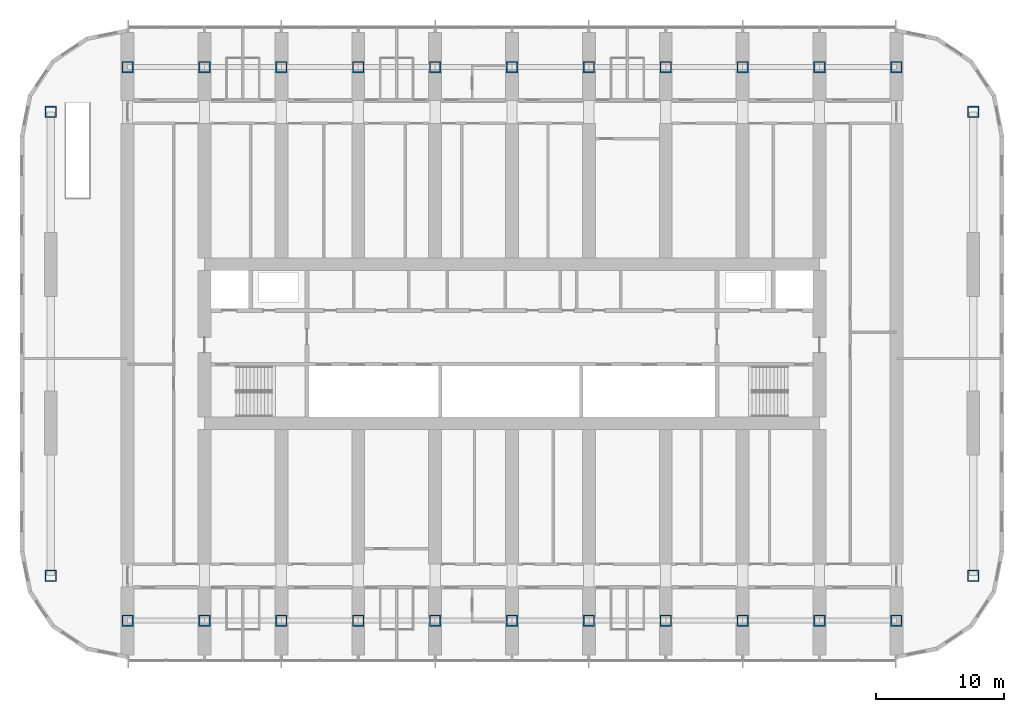
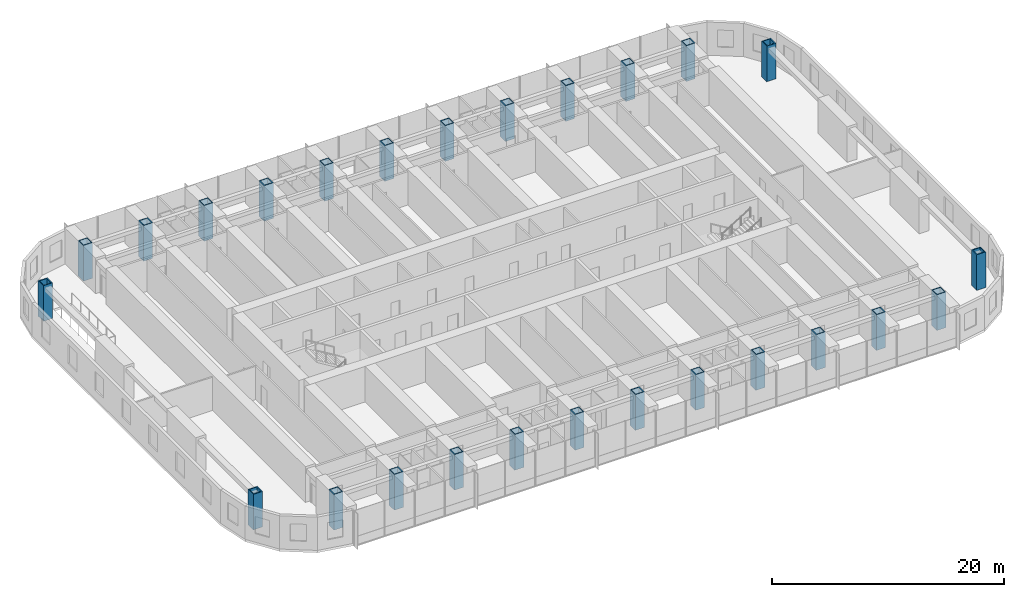
# One storey, part 1 of 22: 26 columns.
"""IFC4 building model written with IfcOpenShell, lengths in metres."""

from ifc_helpers import new_model, si_unit, direction, frame, origin, origin_2d, place, context, subcontext, project, spatial, hollow_rectangle, extrude, material, material_profile, profile_set, type_object, element, save


model = new_model("IFC4")

# Units and contexts
model_context = context("Model", 3, precision=1e-05, world=origin(), true_north=direction((0.0, 1.0)))
body_context = subcontext(model_context, "Body", "Model", "MODEL_VIEW")
ifc_project = project(units=[si_unit("LENGTHUNIT", "METRE"), si_unit("AREAUNIT", "SQUARE_METRE"), si_unit("VOLUMEUNIT", "CUBIC_METRE"), si_unit("PLANEANGLEUNIT", "RADIAN"), si_unit("MASSUNIT", "GRAM", prefix="KILO")], contexts=[model_context])

# Site, building, storey
site_placement = place(None, origin())
site = spatial("IfcSite", under=ifc_project, at=site_placement, CompositionType="ELEMENT")
building_placement = place(site_placement, origin())
building = spatial("IfcBuilding", under=site, at=building_placement, Name="Orbita Commons", CompositionType="ELEMENT")
storey_placement = place(building_placement, frame((0.0, 0.0, 57.699951171875)))
storey = spatial("IfcBuildingStorey", under=building, at=storey_placement, Name="L14", CompositionType="ELEMENT", Elevation=57.699951171875)

# Columns
ifc_material = material(Name="Steel ASTM A572 Gr 50 welded plate", Category="steel")
ifc_material_profile = material_profile(ifc_material, hollow_rectangle(XDim=0.89990234375, YDim=0.89990234375, WallThickness=0.090087890625, at=origin_2d()), Name="BOX 900x900x90")
ifc_profile_set = profile_set([ifc_material_profile], Name="Steel ASTM A572 Gr 50 welded plate")
column_type = type_object("IfcColumnType", Name="Steel column BOX 900x900x90", PredefinedType="COLUMN", material=ifc_profile_set)
for number, where, z_axis, x_axis, name in (
    (1, (12.0, 10.39990234375, 0.0), (0.0, 0.0, 1.0), (1.0, 0.0, 0.0), "Column 3/B L14"),
    (2, (12.0, 53.60009765625, 0.0), (0.0, 0.0, 1.0), (1.0, 0.0, 0.0), "Column 3/E L14"),
    (3, (18.0, 10.39990234375, 0.0), (0.0, 0.0, 1.0), (1.0, 0.0, 0.0), "Column 4/B L14"),
    (4, (18.0, 53.60009765625, 0.0), (0.0, 0.0, 1.0), (1.0, 0.0, 0.0), "Column 4/E L14"),
    (5, (24.0, 10.39990234375, 0.0), (0.0, 0.0, 1.0), (1.0, 0.0, 0.0), "Column 5/B L14"),
    (6, (24.0, 53.60009765625, 0.0), (0.0, 0.0, 1.0), (1.0, 0.0, 0.0), "Column 5/E L14"),
    (7, (30.0, 10.39990234375, 0.0), (0.0, 0.0, 1.0), (1.0, 0.0, 0.0), "Column 6/B L14"),
    (8, (30.0, 53.60009765625, 0.0), (0.0, 0.0, 1.0), (1.0, 0.0, 0.0), "Column 6/E L14"),
    (9, (36.0, 10.39990234375, 0.0), (0.0, 0.0, 1.0), (1.0, 0.0, 0.0), "Column 7/B L14"),
    (10, (36.0, 53.60009765625, 0.0), (0.0, 0.0, 1.0), (1.0, 0.0, 0.0), "Column 7/E L14"),
    (11, (42.0, 10.39990234375, 0.0), (0.0, 0.0, 1.0), (1.0, 0.0, 0.0), "Column 8/B L14"),
    (12, (42.0, 53.60009765625, 0.0), (0.0, 0.0, 1.0), (1.0, 0.0, 0.0), "Column 8/E L14"),
    (13, (48.0, 10.39990234375, 0.0), (0.0, 0.0, 1.0), (1.0, 0.0, 0.0), "Column 9/B L14"),
    (14, (48.0, 53.60009765625, 0.0), (0.0, 0.0, 1.0), (1.0, 0.0, 0.0), "Column 9/E L14"),
    (15, (54.0, 10.39990234375, 0.0), (0.0, 0.0, 1.0), (1.0, 0.0, 0.0), "Column 10/B L14"),
    (16, (54.0, 53.60009765625, 0.0), (0.0, 0.0, 1.0), (1.0, 0.0, 0.0), "Column 10/E L14"),
    (17, (60.0, 10.39990234375, 0.0), (0.0, 0.0, 1.0), (1.0, 0.0, 0.0), "Column 11/B L14"),
    (18, (60.0, 53.60009765625, 0.0), (0.0, 0.0, 1.0), (1.0, 0.0, 0.0), "Column 11/E L14"),
    (19, (66.0, 10.39990234375, 0.0), (0.0, 0.0, 1.0), (1.0, 0.0, 0.0), "Column 12/B L14"),
    (20, (66.0, 53.60009765625, 0.0), (0.0, 0.0, 1.0), (1.0, 0.0, 0.0), "Column 12/E L14"),
    (21, (72.0, 10.39990234375, 0.0), (0.0, 0.0, 1.0), (1.0, 0.0, 0.0), "Column 13/B L14"),
    (22, (72.0, 53.60009765625, 0.0), (0.0, 0.0, 1.0), (1.0, 0.0, 0.0), "Column 13/E L14"),
    (23, (6.0, 13.89990234375, 0.0), (0.0, 0.0, 1.0), (1.0, 0.0, 0.0), "Column 2/13.9 L14"),
    (24, (6.0, 50.10009765625, 0.0), (0.0, 0.0, 1.0), (1.0, 0.0, 0.0), "Column 2/50.1 L14"),
    (25, (78.0, 13.89990234375, 0.0), (0.0, 0.0, 1.0), (1.0, 0.0, 0.0), "Column 14/13.9 L14"),
    (26, (78.0, 50.10009765625, 0.0), (0.0, 0.0, 1.0), (1.0, 0.0, 0.0), "Column 14/50.1 L14"),
):
    element("IfcColumn", number, at=place(storey_placement, frame(where, z_axis=z_axis, x_axis=x_axis)), inside=storey, type_object=column_type, Name=name, PredefinedType="COLUMN", context=body_context, shape_type="SweptSolid", body=[
        extrude(hollow_rectangle(XDim=0.89990234375, YDim=0.89990234375, WallThickness=0.090087890625, at=origin_2d()), origin(), (0.0, 0.0, 1.0), 3.75),
    ])

save(model, "model.ifc")
